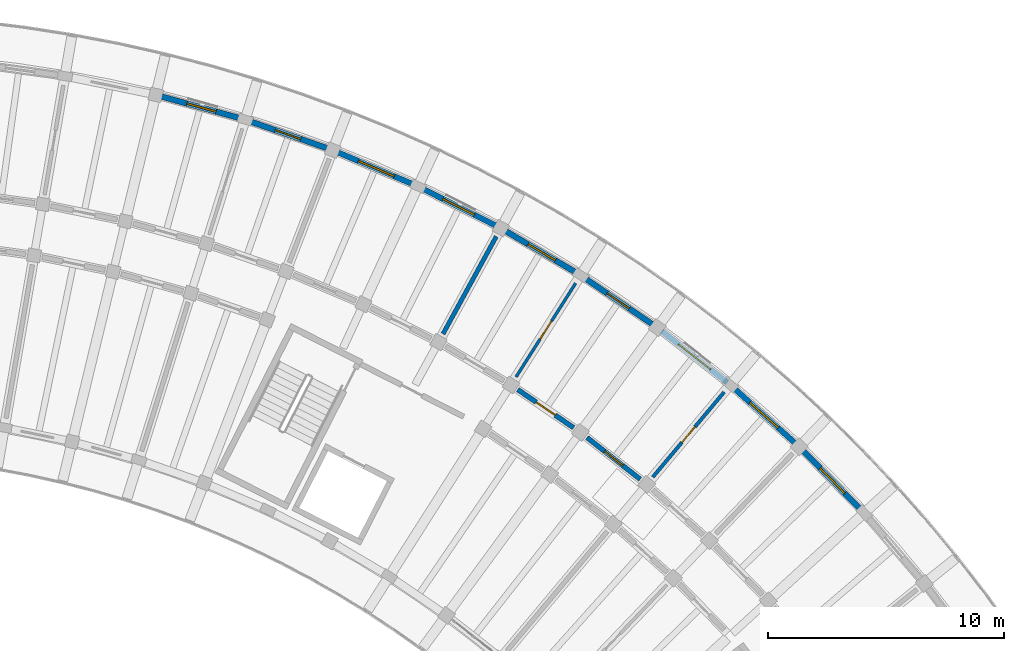
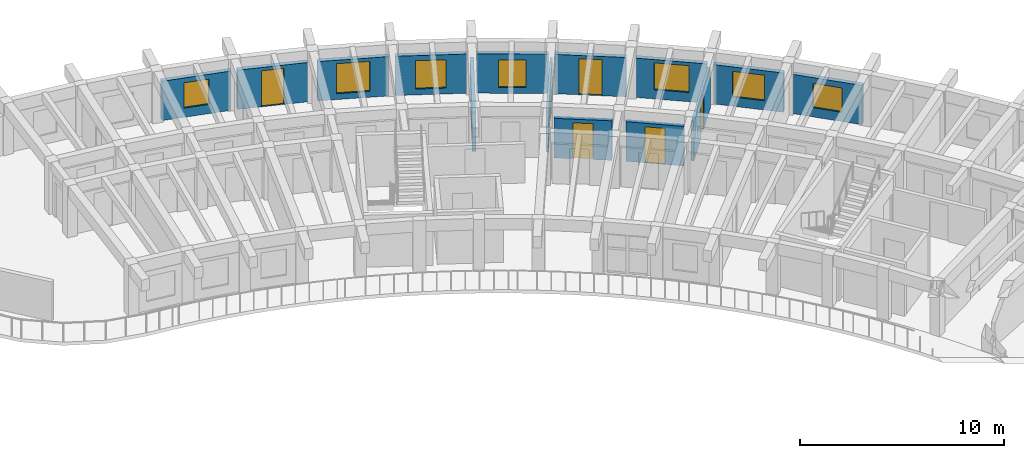
# One storey, part 59 of 81: 14 walls, 7 windows, 6 doors, 13 openings.
"""IFC4 building model written with IfcOpenShell, lengths in metres."""

from ifc_helpers import new_model, si_unit, direction, frame, frame_2d, origin, place, context, subcontext, project, spatial, rectangle, extrude, material, layer, layer_set, type_object, element, fill, save


model = new_model("IFC4")

# Units and contexts
model_context = context("Model", 3, precision=1e-05, world=origin(), true_north=direction((0.0, 1.0)))
body_context = subcontext(model_context, "Body", "Model", "MODEL_VIEW")
ifc_project = project(units=[si_unit("LENGTHUNIT", "METRE"), si_unit("AREAUNIT", "SQUARE_METRE"), si_unit("VOLUMEUNIT", "CUBIC_METRE"), si_unit("PLANEANGLEUNIT", "RADIAN"), si_unit("MASSUNIT", "GRAM", prefix="KILO")], contexts=[model_context])

# Site, building, storey
site_placement = place(None, origin())
site = spatial("IfcSite", under=ifc_project, at=site_placement, CompositionType="ELEMENT")
building_placement = place(site_placement, origin())
building = spatial("IfcBuilding", under=site, at=building_placement, Name="Tanwirah Colonnade Gardens", CompositionType="ELEMENT")
storey_placement = place(building_placement, frame((0.0, 0.0, 8.840087890625)))
storey = spatial("IfcBuildingStorey", under=building, at=storey_placement, Name="L02", CompositionType="ELEMENT", Elevation=8.840087890625)

# Wall, opening, window
ifc_material_1 = material(Name="Limestone architectural precast concrete C40/50", Category="masonry")
ifc_layer_1 = layer(ifc_material_1, 0.239990234375)
ifc_layer_set_1 = layer_set([ifc_layer_1], Name="Limestone architectural precast concrete C40/50")
wall_type_1 = type_object("IfcWallType", Name="EW-PC240", PredefinedType="SOLIDWALL", material=ifc_layer_set_1)
wall_1_placement = place(storey_placement, frame((164.83203125, 100.503173828125, 0.0), z_axis=(0.0, 0.0, 1.0), x_axis=(-0.698841852324, 0.715276216186, 0.0)))
wall_1 = element("IfcWall", 1, at=wall_1_placement, inside=storey, type_object=wall_type_1, Name="Block B L02 OUT Precast Facade Wall 7", PredefinedType="SOLIDWALL", context=body_context, shape_type="SweptSolid", body=[
    extrude(rectangle(XDim=3.520751953125, YDim=0.239990234375, at=frame_2d((1.76025390625, 0.0))), origin(), (0.0, 0.0, 1.0), 2.35498046875),
])
opening_1_placement = place(wall_1_placement, frame((1.0205078125, 0.0, 0.550048828125)))
opening_1 = element("IfcOpeningElement", 2, at=opening_1_placement, cuts=wall_1, Name="Opening WIN-U09", PredefinedType="OPENING", context=body_context, shape_type="SweptSolid", body=[
    extrude(rectangle(XDim=1.47998046875, YDim=1.4599609375, at=frame_2d((0.739990234375, 0.72998046875))), frame((0.0, 0.1298828125, 0.0), z_axis=(0.0, -1.0, 0.0), x_axis=(1.0, 0.0, 0.0)), (0.0, 0.0, 1.0), 0.260009765625),
])
ifc_material_2 = material(Name="Thermally broken bronze aluminium and solar low-E double glazing", Category="aluminium")
window_type_1 = type_object("IfcWindowType", Name="WIN-U09", PartitioningType="DOUBLE_PANEL_VERTICAL", PredefinedType="WINDOW", material=ifc_material_2)
window_1_placement = place(opening_1_placement, origin())
window_1 = element("IfcWindow", 3, at=window_1_placement, inside=storey, type_object=window_type_1, Name="Facade window B-L02-OUT-07", OverallHeight=1.4599609375, OverallWidth=1.47998046875, PartitioningType="SINGLE_PANEL", PredefinedType="WINDOW", context=body_context, shape_type="SweptSolid", body=[
    extrude(rectangle(XDim=1.47998046875, YDim=1.4599609375, at=frame_2d((0.739990234375, 0.72998046875))), frame((0.0, 0.030029296875, 0.0), z_axis=(0.0, -1.0, 0.0), x_axis=(1.0, 0.0, 0.0)), (0.0, 0.0, 1.0), 0.06005859375),
])
fill(opening_1, window_1)

wall_2_placement = place(storey_placement, frame((162.01806640625, 103.3603515625, 0.0), z_axis=(0.0, 0.0, 1.0), x_axis=(-0.744413726571, 0.667718656092, 0.0)))
wall_2 = element("IfcWall", 4, at=wall_2_placement, inside=storey, type_object=wall_type_1, Name="Block B L02 OUT Precast Facade Wall 8", PredefinedType="SOLIDWALL", context=body_context, shape_type="SweptSolid", body=[
    extrude(rectangle(XDim=3.520751953125, YDim=0.239990234375, at=frame_2d((1.76025390625, 0.0))), origin(), (0.0, 0.0, 1.0), 2.35498046875),
])
opening_2_placement = place(wall_2_placement, frame((0.960205078125, 0.0, 0.550048828125)))
opening_2 = element("IfcOpeningElement", 5, at=opening_2_placement, cuts=wall_2, Name="Opening WIN-U12", PredefinedType="OPENING", context=body_context, shape_type="SweptSolid", body=[
    extrude(rectangle(XDim=1.60009765625, YDim=1.534912109375, at=frame_2d((0.800048828125, 0.767578125))), frame((0.0, 0.1298828125, 0.0), z_axis=(0.0, -1.0, 0.0), x_axis=(1.0, 0.0, 0.0)), (0.0, 0.0, 1.0), 0.260009765625),
])
window_type_2 = type_object("IfcWindowType", Name="WIN-U12", PartitioningType="DOUBLE_PANEL_VERTICAL", PredefinedType="WINDOW", material=ifc_material_2)
window_2_placement = place(opening_2_placement, origin())
window_2 = element("IfcWindow", 6, at=window_2_placement, inside=storey, type_object=window_type_2, Name="Facade window B-L02-OUT-08", OverallHeight=1.534912109375, OverallWidth=1.60009765625, PartitioningType="SINGLE_PANEL", PredefinedType="WINDOW", context=body_context, shape_type="SweptSolid", body=[
    extrude(rectangle(XDim=1.60009765625, YDim=1.534912109375, at=frame_2d((0.800048828125, 0.767578125))), frame((0.0, 0.030029296875, 0.0), z_axis=(0.0, -1.0, 0.0), x_axis=(1.0, 0.0, 0.0)), (0.0, 0.0, 1.0), 0.06005859375),
])
fill(opening_2, window_2)

wall_3_placement = place(storey_placement, frame((159.152099609375, 105.916748046875, 0.0), z_axis=(0.0, 0.0, 1.0), x_axis=(-0.786813798172, 0.617190446301, 0.0)))
wall_3 = element("IfcWall", 7, at=wall_3_placement, inside=storey, type_object=wall_type_1, Name="Block B L02 OUT Precast Facade Wall 9", PredefinedType="SOLIDWALL", context=body_context, shape_type="SweptSolid", body=[
    extrude(rectangle(XDim=3.5205078125, YDim=0.239990234375, at=frame_2d((1.76025390625, 0.0))), origin(), (0.0, 0.0, 1.0), 2.35498046875),
])
opening_3_placement = place(wall_3_placement, frame((0.900390625, 0.0, 0.550048828125)))
opening_3 = element("IfcOpeningElement", 8, at=opening_3_placement, cuts=wall_3, Name="Opening WIN-U15", PredefinedType="OPENING", context=body_context, shape_type="SweptSolid", body=[
    extrude(rectangle(XDim=1.719970703125, YDim=1.610107421875, at=frame_2d((0.85986328125, 0.80517578125))), frame((0.0, 0.1298828125, 0.0), z_axis=(0.0, -1.0, 0.0), x_axis=(1.0, 0.0, 0.0)), (0.0, 0.0, 1.0), 0.260009765625),
])
window_type_3 = type_object("IfcWindowType", Name="WIN-U15", PartitioningType="DOUBLE_PANEL_VERTICAL", PredefinedType="WINDOW", material=ifc_material_2)
window_3_placement = place(opening_3_placement, origin())
window_3 = element("IfcWindow", 9, at=window_3_placement, inside=storey, type_object=window_type_3, Name="Facade window B-L02-OUT-09", OverallHeight=1.610107421875, OverallWidth=1.719970703125, PartitioningType="SINGLE_PANEL", PredefinedType="WINDOW", context=body_context, shape_type="SweptSolid", body=[
    extrude(rectangle(XDim=1.719970703125, YDim=1.610107421875, at=frame_2d((0.85986328125, 0.80517578125))), frame((0.0, 0.030029296875, 0.0), z_axis=(0.0, -1.0, 0.0), x_axis=(1.0, 0.0, 0.0)), (0.0, 0.0, 1.0), 0.06005859375),
])
fill(opening_3, window_3)

# Wall, opening, door
wall_4_placement = place(storey_placement, frame((155.98681640625, 108.37890625, 0.0), z_axis=(0.0, 0.0, 1.0), x_axis=(-0.825745840472, 0.56404238045, 0.0)))
wall_4 = element("IfcWall", 10, at=wall_4_placement, inside=storey, type_object=wall_type_1, Name="Block B L02 OUT Precast Facade Wall 10", PredefinedType="SOLIDWALL", context=body_context, shape_type="SweptSolid", body=[
    extrude(rectangle(XDim=3.520751953125, YDim=0.239990234375, at=frame_2d((1.76025390625, 0.0))), origin(), (0.0, 0.0, 1.0), 2.35498046875),
])
opening_4_placement = place(wall_4_placement, frame((1.1904296875, 0.0, 0.0)))
opening_4 = element("IfcOpeningElement", 11, at=opening_4_placement, cuts=wall_4, Name="Opening L02-ED078", PredefinedType="OPENING", context=body_context, shape_type="SweptSolid", body=[
    extrude(rectangle(XDim=1.139892578125, YDim=2.159912109375, at=frame_2d((0.56982421875, 1.080078125))), frame((0.0, 0.1298828125, 0.0), z_axis=(0.0, -1.0, 0.0), x_axis=(1.0, 0.0, 0.0)), (0.0, 0.0, 1.0), 0.260009765625),
])
ifc_material_3 = material(Name="Bronze aluminium glazed balcony door", Category="aluminium")
door_type_1 = type_object("IfcDoorType", Name="ED-BAL114", OperationType="NOTDEFINED", PredefinedType="DOOR", material=ifc_material_3)
door_1_placement = place(opening_4_placement, origin())
door_1 = element("IfcDoor", 12, at=door_1_placement, inside=storey, type_object=door_type_1, Name="Balcony glazed door L02-ED078", OperationType="SINGLE_SWING_LEFT", OverallHeight=2.159912109375, OverallWidth=1.139892578125, PredefinedType="DOOR", context=body_context, shape_type="SweptSolid", body=[
    extrude(rectangle(XDim=1.139892578125, YDim=2.159912109375, at=frame_2d((0.56982421875, 1.080078125))), frame((0.0, 0.02490234375, 0.0), z_axis=(0.0, -1.0, 0.0), x_axis=(1.0, 0.0, 0.0)), (0.0, 0.0, 1.0), 0.050048828125),
])
fill(opening_4, door_1)

# Wall, opening, window
wall_5_placement = place(storey_placement, frame((152.8095703125, 110.536376953125, 0.0), z_axis=(0.0, 0.0, 1.0), x_axis=(-0.861136297738, 0.508374150324, 0.0)))
wall_5 = element("IfcWall", 13, at=wall_5_placement, inside=storey, type_object=wall_type_1, Name="Block B L02 OUT Precast Facade Wall 11", PredefinedType="SOLIDWALL", context=body_context, shape_type="SweptSolid", body=[
    extrude(rectangle(XDim=3.5205078125, YDim=0.239990234375, at=frame_2d((1.76025390625, 0.0))), origin(), (0.0, 0.0, 1.0), 2.35498046875),
])
opening_5_placement = place(wall_5_placement, frame((1.085205078125, 0.0, 0.35009765625)))
opening_5 = element("IfcOpeningElement", 14, at=opening_5_placement, cuts=wall_5, Name="Opening WIN-T05", PredefinedType="OPENING", context=body_context, shape_type="SweptSolid", body=[
    extrude(rectangle(XDim=1.35009765625, YDim=1.64990234375, at=frame_2d((0.675048828125, 0.824951171875))), frame((0.0, 0.1298828125, 0.0), z_axis=(0.0, -1.0, 0.0), x_axis=(1.0, 0.0, 0.0)), (0.0, 0.0, 1.0), 0.260009765625),
])
window_type_4 = type_object("IfcWindowType", Name="WIN-T05", PartitioningType="DOUBLE_PANEL_VERTICAL", PredefinedType="WINDOW", material=ifc_material_2)
window_4_placement = place(opening_5_placement, origin())
window_4 = element("IfcWindow", 15, at=window_4_placement, inside=storey, type_object=window_type_4, Name="Facade window B-L02-OUT-11", OverallHeight=1.64990234375, OverallWidth=1.35009765625, PartitioningType="SINGLE_PANEL", PredefinedType="WINDOW", context=body_context, shape_type="SweptSolid", body=[
    extrude(rectangle(XDim=1.35009765625, YDim=1.64990234375, at=frame_2d((0.675048828125, 0.824951171875))), frame((0.0, 0.030029296875, 0.0), z_axis=(0.0, -1.0, 0.0), x_axis=(1.0, 0.0, 0.0)), (0.0, 0.0, 1.0), 0.06005859375),
])
fill(opening_5, window_4)

wall_6_placement = place(storey_placement, frame((149.34814453125, 112.56103515625, 0.0), z_axis=(0.0, 0.0, 1.0), x_axis=(-0.892756700232, 0.450539092855, 0.0)))
wall_6 = element("IfcWall", 16, at=wall_6_placement, inside=storey, type_object=wall_type_1, Name="Block B L02 OUT Precast Facade Wall 12", PredefinedType="SOLIDWALL", context=body_context, shape_type="SweptSolid", body=[
    extrude(rectangle(XDim=3.520751953125, YDim=0.239990234375, at=frame_2d((1.76025390625, 0.0))), origin(), (0.0, 0.0, 1.0), 2.35498046875),
])
opening_6_placement = place(wall_6_placement, frame((1.01025390625, 0.0, 0.35009765625)))
opening_6 = element("IfcOpeningElement", 17, at=opening_6_placement, cuts=wall_6, Name="Opening WIN-T08", PredefinedType="OPENING", context=body_context, shape_type="SweptSolid", body=[
    extrude(rectangle(XDim=1.5, YDim=1.699951171875, at=frame_2d((0.75, 0.85009765625))), frame((0.0, 0.1298828125, 0.0), z_axis=(0.0, -1.0, 0.0), x_axis=(1.0, 0.0, 0.0)), (0.0, 0.0, 1.0), 0.260009765625),
])
window_type_5 = type_object("IfcWindowType", Name="WIN-T08", PartitioningType="DOUBLE_PANEL_VERTICAL", PredefinedType="WINDOW", material=ifc_material_2)
window_5_placement = place(opening_6_placement, origin())
window_5 = element("IfcWindow", 18, at=window_5_placement, inside=storey, type_object=window_type_5, Name="Facade window B-L02-OUT-12", OverallHeight=1.699951171875, OverallWidth=1.5, PartitioningType="SINGLE_PANEL", PredefinedType="WINDOW", context=body_context, shape_type="SweptSolid", body=[
    extrude(rectangle(XDim=1.5, YDim=1.699951171875, at=frame_2d((0.75, 0.85009765625))), frame((0.0, 0.030029296875, 0.0), z_axis=(0.0, -1.0, 0.0), x_axis=(1.0, 0.0, 0.0)), (0.0, 0.0, 1.0), 0.06005859375),
])
fill(opening_6, window_5)

wall_7_placement = place(storey_placement, frame((145.9150390625, 114.28173828125, 0.0), z_axis=(0.0, 0.0, 1.0), x_axis=(-0.920502438884, 0.390736816807, 0.0)))
wall_7 = element("IfcWall", 19, at=wall_7_placement, inside=storey, type_object=wall_type_1, Name="Block B L02 OUT Precast Facade Wall 13", PredefinedType="SOLIDWALL", context=body_context, shape_type="SweptSolid", body=[
    extrude(rectangle(XDim=3.520751953125, YDim=0.239990234375, at=frame_2d((1.76025390625, 0.0))), origin(), (0.0, 0.0, 1.0), 2.35498046875),
])
opening_7_placement = place(wall_7_placement, frame((0.935302734375, 0.0, 0.35009765625)))
opening_7 = element("IfcOpeningElement", 20, at=opening_7_placement, cuts=wall_7, Name="Opening WIN-T11", PredefinedType="OPENING", context=body_context, shape_type="SweptSolid", body=[
    extrude(rectangle(XDim=1.64990234375, YDim=1.800048828125, at=frame_2d((0.824951171875, 0.89990234375))), frame((0.0, 0.1298828125, 0.0), z_axis=(0.0, -1.0, 0.0), x_axis=(1.0, 0.0, 0.0)), (0.0, 0.0, 1.0), 0.260009765625),
])
window_type_6 = type_object("IfcWindowType", Name="WIN-T11", PartitioningType="DOUBLE_PANEL_VERTICAL", PredefinedType="WINDOW", material=ifc_material_2)
window_6_placement = place(opening_7_placement, origin())
window_6 = element("IfcWindow", 21, at=window_6_placement, inside=storey, type_object=window_type_6, Name="Facade window B-L02-OUT-13", OverallHeight=1.800048828125, OverallWidth=1.64990234375, PartitioningType="SINGLE_PANEL", PredefinedType="WINDOW", context=body_context, shape_type="SweptSolid", body=[
    extrude(rectangle(XDim=1.64990234375, YDim=1.800048828125, at=frame_2d((0.824951171875, 0.89990234375))), frame((0.0, 0.030029296875, 0.0), z_axis=(0.0, -1.0, 0.0), x_axis=(1.0, 0.0, 0.0)), (0.0, 0.0, 1.0), 0.06005859375),
])
fill(opening_7, window_6)

# Wall, opening, door
wall_8_placement = place(storey_placement, frame((142.21728515625, 115.833984375, 0.0), z_axis=(0.0, 0.0, 1.0), x_axis=(-0.944267366677, 0.329179495455, 0.0)))
wall_8 = element("IfcWall", 22, at=wall_8_placement, inside=storey, type_object=wall_type_1, Name="Block B L02 OUT Precast Facade Wall 14", PredefinedType="SOLIDWALL", context=body_context, shape_type="SweptSolid", body=[
    extrude(rectangle(XDim=3.520751953125, YDim=0.239990234375, at=frame_2d((1.76025390625, 0.0))), origin(), (0.0, 0.0, 1.0), 2.35498046875),
])
opening_8_placement = place(wall_8_placement, frame((1.1904296875, 0.0, 0.0)))
opening_8 = element("IfcOpeningElement", 23, at=opening_8_placement, cuts=wall_8, Name="Opening L02-ED079", PredefinedType="OPENING", context=body_context, shape_type="SweptSolid", body=[
    extrude(rectangle(XDim=1.139892578125, YDim=2.159912109375, at=frame_2d((0.56982421875, 1.080078125))), frame((0.0, 0.1298828125, 0.0), z_axis=(0.0, -1.0, 0.0), x_axis=(1.0, 0.0, 0.0)), (0.0, 0.0, 1.0), 0.260009765625),
])
door_2_placement = place(opening_8_placement, origin())
door_2 = element("IfcDoor", 24, at=door_2_placement, inside=storey, type_object=door_type_1, Name="Balcony glazed door L02-ED079", OperationType="SINGLE_SWING_LEFT", OverallHeight=2.159912109375, OverallWidth=1.139892578125, PredefinedType="DOOR", context=body_context, shape_type="SweptSolid", body=[
    extrude(rectangle(XDim=1.139892578125, YDim=2.159912109375, at=frame_2d((0.56982421875, 1.080078125))), frame((0.0, 0.02490234375, 0.0), z_axis=(0.0, -1.0, 0.0), x_axis=(1.0, 0.0, 0.0)), (0.0, 0.0, 1.0), 0.050048828125),
])
fill(opening_8, door_2)

# Wall, opening, window
wall_9_placement = place(storey_placement, frame((138.58740234375, 117.08837890625, 0.0), z_axis=(0.0, 0.0, 1.0), x_axis=(-0.963894473631, 0.266284516456, 0.0)))
wall_9 = element("IfcWall", 25, at=wall_9_placement, inside=storey, type_object=wall_type_1, Name="Block B L02 OUT Precast Facade Wall 15", PredefinedType="SOLIDWALL", context=body_context, shape_type="SweptSolid", body=[
    extrude(rectangle(XDim=3.520751953125, YDim=0.239990234375, at=frame_2d((1.76025390625, 0.0))), origin(), (0.0, 0.0, 1.0), 2.35498046875),
])
opening_9_placement = place(wall_9_placement, frame((1.120361328125, 0.0, 0.550048828125)))
opening_9 = element("IfcOpeningElement", 26, at=opening_9_placement, cuts=wall_9, Name="Opening WIN-T17", PredefinedType="OPENING", context=body_context, shape_type="SweptSolid", body=[
    extrude(rectangle(XDim=1.280029296875, YDim=1.52001953125, at=frame_2d((0.64013671875, 0.760009765625))), frame((0.0, 0.1298828125, 0.0), z_axis=(0.0, -1.0, 0.0), x_axis=(1.0, 0.0, 0.0)), (0.0, 0.0, 1.0), 0.260009765625),
])
window_type_7 = type_object("IfcWindowType", Name="WIN-T17", PartitioningType="SINGLE_PANEL", PredefinedType="WINDOW", material=ifc_material_2)
window_7_placement = place(opening_9_placement, origin())
window_7 = element("IfcWindow", 27, at=window_7_placement, inside=storey, type_object=window_type_7, Name="Facade window B-L02-OUT-15", OverallHeight=1.52001953125, OverallWidth=1.280029296875, PartitioningType="SINGLE_PANEL", PredefinedType="WINDOW", context=body_context, shape_type="SweptSolid", body=[
    extrude(rectangle(XDim=1.280029296875, YDim=1.52001953125, at=frame_2d((0.64013671875, 0.760009765625))), frame((0.0, 0.030029296875, 0.0), z_axis=(0.0, -1.0, 0.0), x_axis=(1.0, 0.0, 0.0)), (0.0, 0.0, 1.0), 0.06005859375),
])
fill(opening_9, window_7)

# Wall, opening, door
ifc_material_4 = material(Name="Precast concrete C40/50", Category="concrete")
ifc_layer_2 = layer(ifc_material_4, 0.205078125)
ifc_layer_set_2 = layer_set([ifc_layer_2], Name="Precast concrete C40/50")
wall_type_2 = type_object("IfcWallType", Name="IW-CORR205", PredefinedType="PARTITIONING", material=ifc_layer_set_2)
wall_10_placement = place(storey_placement, frame((155.46728515625, 101.82080078125, 0.0), z_axis=(0.0, 0.0, 1.0), x_axis=(-0.786806323554, 0.617199975061, 0.0)))
wall_10 = element("IfcWall", 28, at=wall_10_placement, inside=storey, type_object=wall_type_2, Name="Block B L02 OUT Corridor Wall 9", PredefinedType="PARTITIONING", context=body_context, shape_type="SweptSolid", body=[
    extrude(rectangle(XDim=2.863037109375, YDim=0.205078125, at=frame_2d((1.431640625, 0.0))), origin(), (0.0, 0.0, 1.0), 2.369873046875),
])
opening_10_placement = place(wall_10_placement, frame((0.9365234375, 0.0, 0.0)))
opening_10 = element("IfcOpeningElement", 29, at=opening_10_placement, cuts=wall_10, Name="Opening L02-AD897", PredefinedType="OPENING", context=body_context, shape_type="SweptSolid", body=[
    extrude(rectangle(XDim=0.989990234375, YDim=2.159912109375, at=frame_2d((0.4951171875, 1.080078125))), frame((0.0, 0.112548828125, 0.0), z_axis=(0.0, -1.0, 0.0), x_axis=(1.0, 0.0, 0.0)), (0.0, 0.0, 1.0), 0.22509765625),
])
ifc_material_5 = material(Name="Solid oak fire-resisting apartment entrance door")
door_type_2 = type_object("IfcDoorType", Name="ID-FLT099", OperationType="NOTDEFINED", PredefinedType="DOOR", material=ifc_material_5)
door_3_placement = place(opening_10_placement, origin())
door_3 = element("IfcDoor", 30, at=door_3_placement, inside=storey, type_object=door_type_2, Name="Apartment corridor door L02-AD897", OperationType="SINGLE_SWING_RIGHT", OverallHeight=2.159912109375, OverallWidth=0.989990234375, PredefinedType="DOOR", context=body_context, shape_type="SweptSolid", body=[
    extrude(rectangle(XDim=0.989990234375, YDim=2.159912109375, at=frame_2d((0.4951171875, 1.080078125))), frame((0.0, 0.02490234375, 0.0), z_axis=(0.0, -1.0, 0.0), x_axis=(1.0, 0.0, 0.0)), (0.0, 0.0, 1.0), 0.050048828125),
])
fill(opening_10, door_3)

wall_11_placement = place(storey_placement, frame((152.650146484375, 104.001220703125, 0.0), z_axis=(0.0, 0.0, 1.0), x_axis=(-0.825779671787, 0.563992848947, 0.0)))
wall_11 = element("IfcWall", 31, at=wall_11_placement, inside=storey, type_object=wall_type_2, Name="Block B L02 OUT Corridor Wall 10", PredefinedType="PARTITIONING", context=body_context, shape_type="SweptSolid", body=[
    extrude(rectangle(XDim=2.863037109375, YDim=0.205078125, at=frame_2d((1.431640625, 0.0))), origin(), (0.0, 0.0, 1.0), 2.369873046875),
])
opening_11_placement = place(wall_11_placement, frame((0.946533203125, 0.0, 0.0)))
opening_11 = element("IfcOpeningElement", 32, at=opening_11_placement, cuts=wall_11, Name="Opening L02-AD899", PredefinedType="OPENING", context=body_context, shape_type="SweptSolid", body=[
    extrude(rectangle(XDim=0.969970703125, YDim=2.14990234375, at=frame_2d((0.48486328125, 1.074951171875))), frame((0.0, 0.112548828125, 0.0), z_axis=(0.0, -1.0, 0.0), x_axis=(1.0, 0.0, 0.0)), (0.0, 0.0, 1.0), 0.22509765625),
])
door_type_3 = type_object("IfcDoorType", Name="ID-FLT097", OperationType="NOTDEFINED", PredefinedType="DOOR", material=ifc_material_5)
door_4_placement = place(opening_11_placement, origin())
door_4 = element("IfcDoor", 33, at=door_4_placement, inside=storey, type_object=door_type_3, Name="Apartment corridor door L02-AD899", OperationType="SINGLE_SWING_LEFT", OverallHeight=2.14990234375, OverallWidth=0.969970703125, PredefinedType="DOOR", context=body_context, shape_type="SweptSolid", body=[
    extrude(rectangle(XDim=0.969970703125, YDim=2.14990234375, at=frame_2d((0.48486328125, 1.074951171875))), frame((0.0, 0.02490234375, 0.0), z_axis=(0.0, -1.0, 0.0), x_axis=(1.0, 0.0, 0.0)), (0.0, 0.0, 1.0), 0.050048828125),
])
fill(opening_11, door_4)

# Wall
ifc_layer_3 = layer(ifc_material_4, 0.18505859375)
ifc_layer_set_3 = layer_set([ifc_layer_3], Name="Precast concrete C40/50")
wall_type_3 = type_object("IfcWallType", Name="IW-DEM185", PredefinedType="PARTITIONING", material=ifc_layer_set_3)
wall_12_placement = place(storey_placement, frame((147.120361328125, 107.975830078125, 0.0), z_axis=(0.0, 0.0, 1.0), x_axis=(0.479721743761, 0.877420679357, 0.0)))
element("IfcWall", 34, at=wall_12_placement, inside=storey, type_object=wall_type_3, Name="Block B L02 Radial Partition 11", PredefinedType="PARTITIONING", context=body_context, shape_type="SweptSolid", body=[
    extrude(rectangle(XDim=4.699951171875, YDim=0.18505859375, at=frame_2d((2.35009765625, 0.0))), origin(), (0.0, 0.0, 1.0), 2.369873046875),
])

# Wall, opening, door
ifc_material_6 = material(Name="Moisture-resistant gypsum stud partition")
ifc_layer_4 = layer(ifc_material_6, 0.125)
ifc_layer_set_4 = layer_set([ifc_layer_4], Name="Moisture-resistant gypsum stud partition")
wall_type_4 = type_object("IfcWallType", Name="IW-INT125", PredefinedType="PARTITIONING", material=ifc_layer_set_4)
wall_13_placement = place(storey_placement, frame((150.21142578125, 106.151123046875, 0.0), z_axis=(0.0, 0.0, 1.0), x_axis=(0.536492262982, 0.843905238614, 0.0)))
wall_13 = element("IfcWall", 35, at=wall_13_placement, inside=storey, type_object=wall_type_4, Name="Block B L02 Radial Partition 10", PredefinedType="PARTITIONING", context=body_context, shape_type="SweptSolid", body=[
    extrude(rectangle(XDim=4.699951171875, YDim=0.125, at=frame_2d((2.35009765625, 0.0))), origin(), (0.0, 0.0, 1.0), 2.369873046875),
])
opening_12_placement = place(wall_13_placement, frame((1.89501953125, 0.0, 0.0)))
opening_12 = element("IfcOpeningElement", 36, at=opening_12_placement, cuts=wall_13, Name="Opening L02-RD901", PredefinedType="OPENING", context=body_context, shape_type="SweptSolid", body=[
    extrude(rectangle(XDim=0.909912109375, YDim=2.10009765625, at=frame_2d((0.455078125, 1.050048828125))), frame((0.0, 0.072509765625, 0.0), z_axis=(0.0, -1.0, 0.0), x_axis=(1.0, 0.0, 0.0)), (0.0, 0.0, 1.0), 0.14501953125),
])
ifc_material_7 = material(Name="Painted hardwood internal room door", Category="wood")
door_type_4 = type_object("IfcDoorType", Name="ID-RM091", OperationType="NOTDEFINED", PredefinedType="DOOR", material=ifc_material_7)
door_5_placement = place(opening_12_placement, origin())
door_5 = element("IfcDoor", 37, at=door_5_placement, inside=storey, type_object=door_type_4, Name="Internal apartment door L02-RD901", OperationType="SINGLE_SWING_LEFT", OverallHeight=2.10009765625, OverallWidth=0.909912109375, PredefinedType="DOOR", context=body_context, shape_type="SweptSolid", body=[
    extrude(rectangle(XDim=0.909912109375, YDim=2.10009765625, at=frame_2d((0.455078125, 1.050048828125))), frame((0.0, 0.02490234375, 0.0), z_axis=(0.0, -1.0, 0.0), x_axis=(1.0, 0.0, 0.0)), (0.0, 0.0, 1.0), 0.050048828125),
])
fill(opening_12, door_5)

ifc_material_8 = material(Name="Water-resistant acoustic plumbing partition")
ifc_layer_5 = layer(ifc_material_8, 0.14990234375)
ifc_layer_set_5 = layer_set([ifc_layer_5], Name="Water-resistant acoustic plumbing partition")
wall_type_5 = type_object("IfcWallType", Name="IW-WET150", PredefinedType="PLUMBINGWALL", material=ifc_layer_set_5)
wall_14_placement = place(storey_placement, frame((155.999755859375, 101.9111328125, 0.0), z_axis=(0.0, 0.0, 1.0), x_axis=(0.642811926223, 0.766024038465, 0.0)))
wall_14 = element("IfcWall", 38, at=wall_14_placement, inside=storey, type_object=wall_type_5, Name="Block B L02 Radial Partition 8", PredefinedType="PLUMBINGWALL", context=body_context, shape_type="SweptSolid", body=[
    extrude(rectangle(XDim=4.699951171875, YDim=0.14990234375, at=frame_2d((2.35009765625, 0.0))), origin(), (0.0, 0.0, 1.0), 2.369873046875),
])
opening_13_placement = place(wall_14_placement, frame((1.919921875, 0.0, 0.0)))
opening_13 = element("IfcOpeningElement", 39, at=opening_13_placement, cuts=wall_14, Name="Opening L02-RD896", PredefinedType="OPENING", context=body_context, shape_type="SweptSolid", body=[
    extrude(rectangle(XDim=0.860107421875, YDim=2.06005859375, at=frame_2d((0.43017578125, 1.030029296875))), frame((0.0, 0.0849609375, 0.0), z_axis=(0.0, -1.0, 0.0), x_axis=(1.0, 0.0, 0.0)), (0.0, 0.0, 1.0), 0.169921875),
])
ifc_material_9 = material(Name="Moisture-resistant bathroom door")
door_type_5 = type_object("IfcDoorType", Name="ID-WET086", OperationType="NOTDEFINED", PredefinedType="DOOR", material=ifc_material_9)
door_6_placement = place(opening_13_placement, origin())
door_6 = element("IfcDoor", 40, at=door_6_placement, inside=storey, type_object=door_type_5, Name="Internal apartment door L02-RD896", OperationType="SINGLE_SWING_LEFT", OverallHeight=2.06005859375, OverallWidth=0.860107421875, PredefinedType="DOOR", context=body_context, shape_type="SweptSolid", body=[
    extrude(rectangle(XDim=0.860107421875, YDim=2.06005859375, at=frame_2d((0.43017578125, 1.030029296875))), frame((0.0, 0.02490234375, 0.0), z_axis=(0.0, -1.0, 0.0), x_axis=(1.0, 0.0, 0.0)), (0.0, 0.0, 1.0), 0.050048828125),
])
fill(opening_13, door_6)

save(model, "model.ifc")
